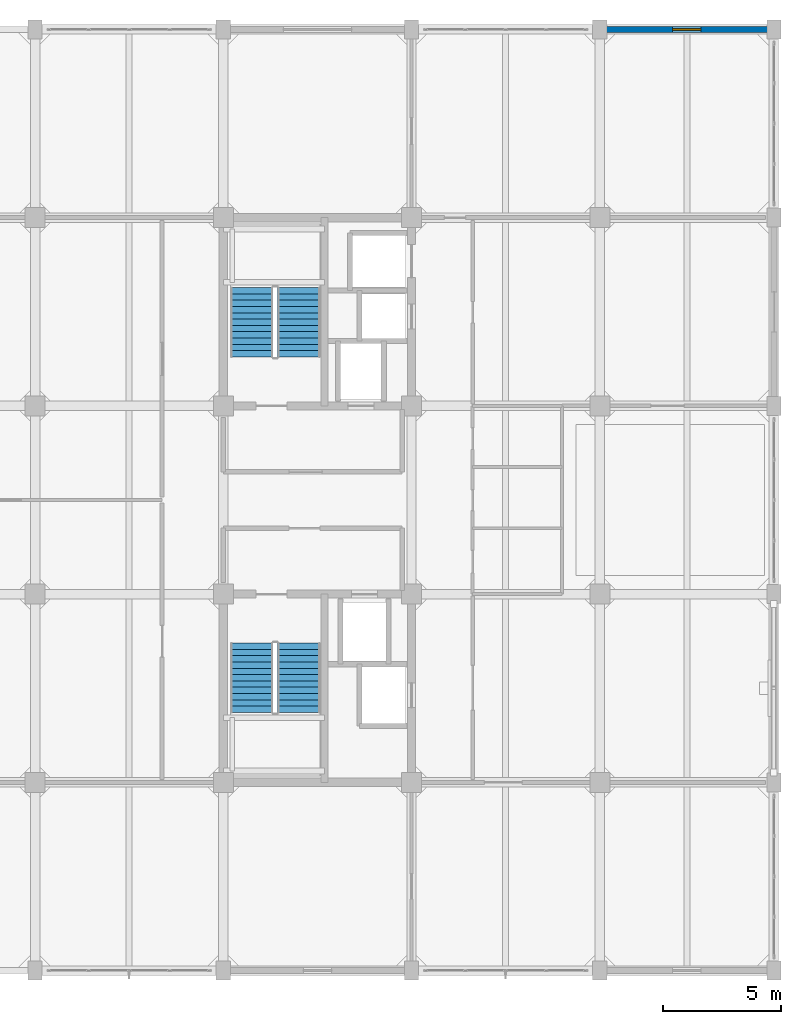
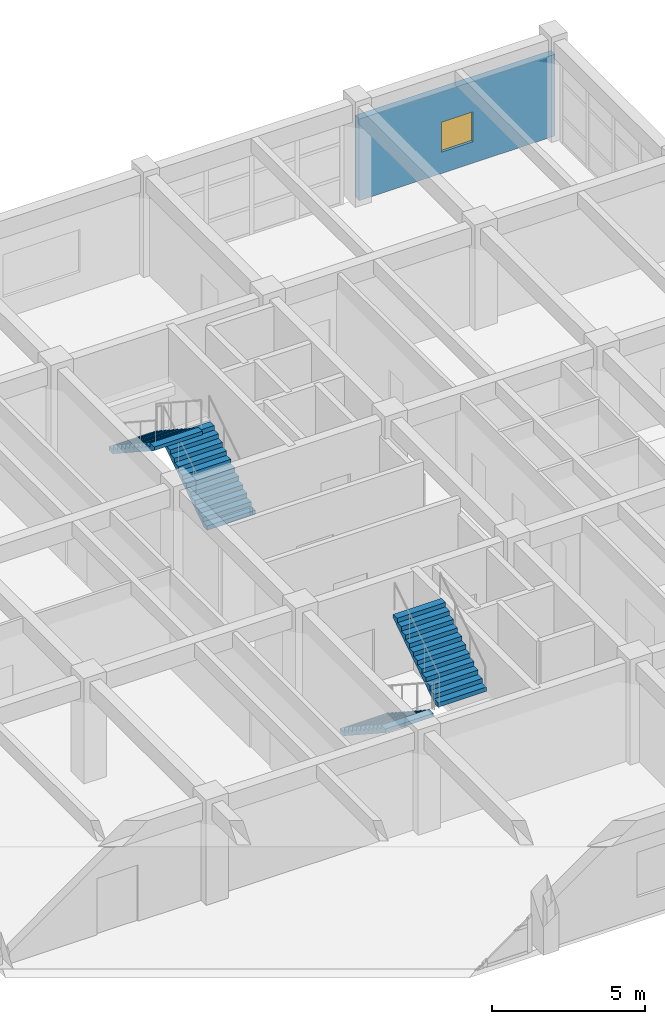
# One storey, part 23 of 27: 4 stair flights, 1 wall, 1 window, 1 opening, 2 elements without a shape of their own.
"""IFC4 building model written with IfcOpenShell, lengths in metres."""

from ifc_helpers import new_model, si_unit, direction, frame, frame_2d, origin, place, context, subcontext, project, spatial, polyline, rectangle, outline, extrude, material, layer, layer_set, type_object, element, fill, aggregate, save


model = new_model("IFC4")

# Units and contexts
model_context = context("Model", 3, precision=1e-05, world=origin(), true_north=direction((0.0, 1.0)))
body_context = subcontext(model_context, "Body", "Model", "MODEL_VIEW")
ifc_project = project(units=[si_unit("LENGTHUNIT", "METRE"), si_unit("AREAUNIT", "SQUARE_METRE"), si_unit("VOLUMEUNIT", "CUBIC_METRE"), si_unit("PLANEANGLEUNIT", "RADIAN"), si_unit("MASSUNIT", "GRAM", prefix="KILO")], contexts=[model_context])

# Site, building, storey
site_placement = place(None, origin())
site = spatial("IfcSite", under=ifc_project, at=site_placement, CompositionType="ELEMENT")
building_placement = place(site_placement, origin())
building = spatial("IfcBuilding", under=site, at=building_placement, Name="Canggui Botanical Conservatory", CompositionType="ELEMENT")
storey_placement = place(building_placement, frame((0.0, 0.0, 31.800048828125)))
storey = spatial("IfcBuildingStorey", under=building, at=storey_placement, Name="L08", CompositionType="ELEMENT", Elevation=31.800048828125)

# Wall, opening, window
ifc_material_1 = material(Name="Precast Concrete C40", Category="concrete")
ifc_layer = layer(ifc_material_1, 0.260009765625, Name="Precast Concrete C40", Category="concrete")
ifc_layer_set = layer_set([ifc_layer], Name="Precast Concrete C40")
wall_type = type_object("IfcWallType", Name="EW-260", PredefinedType="STANDARD", material=ifc_layer_set)
wall_placement = place(storey_placement, frame((170.0, 74.0, 0.0), z_axis=(0.0, 0.0, 1.0), x_axis=(1.0, 0.0, 0.0)))
wall = element("IfcWall", 1, at=wall_placement, inside=storey, type_object=wall_type, Name="Tower Insulated Exterior Wall L08-N15", PredefinedType="STANDARD", context=body_context, shape_type="SweptSolid", body=[
    extrude(rectangle(XDim=7.39990234375, YDim=0.260009765625, at=frame_2d((3.699951171875, 0.0))), origin(), (0.0, 0.0, 1.0), 3.260009765625),
])
opening_placement = place(wall_placement, frame((3.10009765625, 0.0, 0.85009765625)))
opening = element("IfcOpeningElement", 2, at=opening_placement, cuts=wall, Name="Opening W-06", PredefinedType="OPENING", context=body_context, shape_type="SweptSolid", body=[
    extrude(rectangle(XDim=1.199951171875, YDim=1.199951171875, at=frame_2d((0.60009765625, 0.60009765625))), frame((0.0, 0.14013671875, 0.0), z_axis=(0.0, -1.0, 0.0), x_axis=(1.0, 0.0, 0.0)), (0.0, 0.0, 1.0), 0.280029296875),
])
ifc_material_2 = material(Name="Low-E Insulated Glass", Category="glass")
window_type = type_object("IfcWindowType", Name="WIN-06", PartitioningType="SINGLE_PANEL", PredefinedType="WINDOW", material=ifc_material_2)
window_placement = place(opening_placement, origin())
window = element("IfcWindow", 3, at=window_placement, inside=storey, type_object=window_type, Name="Tower Firefighter Rescue Window L08-15", OverallHeight=1.199951171875, OverallWidth=1.199951171875, PartitioningType="SINGLE_PANEL", PredefinedType="WINDOW", context=body_context, shape_type="SweptSolid", body=[
    extrude(rectangle(XDim=1.199951171875, YDim=1.199951171875, at=frame_2d((0.60009765625, 0.60009765625))), frame((0.0, 0.030029296875, 0.0), z_axis=(0.0, -1.0, 0.0), x_axis=(1.0, 0.0, 0.0)), (0.0, 0.0, 1.0), 0.06005859375),
])
fill(opening, window)

# Stair, stair flights
ifc_material_3 = material(Name="Concrete C35", Category="concrete")
stair_type = type_object("IfcStairType", Name="STR-TYPE-6", PredefinedType="HALF_TURN_STAIR", material=ifc_material_3)
stair_1_placement = place(storey_placement, origin())
stair_1 = element("IfcStair", 4, at=stair_1_placement, inside=storey, type_object=stair_type, Name="L08 Tower South Smoke-Proof Stair ST-T1", PredefinedType="HALF_TURN_STAIR")
stair_flight_type = type_object("IfcStairFlightType", Name="SFL-TYPE-6", PredefinedType="STRAIGHT", material=ifc_material_3)
stair_flight_1_placement = place(storey_placement, frame((155.2099609375, 47.919921875, 0.0), z_axis=(0.0, 0.0, 1.0), x_axis=(0.0, -1.0, 0.0)))
stair_flight_1 = element("IfcStairFlight", 5, at=stair_flight_1_placement, type_object=stair_flight_type, Name="ST-T1 flight 1", NumberOfRisers=12, NumberOfTreads=11, PredefinedType="STRAIGHT", RiserHeight=0.175, TreadLength=0.268, context=body_context, shape_type="SweptSolid", body=[
    extrude(outline(polyline([(0.0, 0.0), (0.0, 0.175048828125), (0.26806640625, 0.175048828125), (0.26806640625, 0.35009765625), (0.535888671875, 0.35009765625), (0.535888671875, 0.52490234375), (0.803955078125, 0.52490234375), (0.803955078125, 0.699951171875), (1.072021484375, 0.699951171875), (1.072021484375, 0.875), (1.340087890625, 0.875), (1.340087890625, 1.050048828125), (1.60791015625, 1.050048828125), (1.60791015625, 1.22509765625), (1.8759765625, 1.22509765625), (1.8759765625, 1.39990234375), (2.14404296875, 1.39990234375), (2.14404296875, 1.574951171875), (2.412109375, 1.574951171875), (2.412109375, 1.75), (2.679931640625, 1.75), (2.679931640625, 1.925048828125), (2.947998046875, 1.925048828125), (2.947998046875, 2.10009765625), (2.947998046875, 1.781494140625), (0.2197265625, 0.0), (0.0, 0.0)])), frame((0.0, 0.91015625, 0.0), z_axis=(0.0, -1.0, 0.0), x_axis=(1.0, 0.0, 0.0)), (0.0, 0.0, 1.0), 1.820068359375),
])
stair_flight_2_placement = place(storey_placement, frame((157.2099609375, 44.971923828125, 2.099853515625), z_axis=(0.0, 0.0, 1.0), x_axis=(0.0, 1.0, 0.0)))
stair_flight_2 = element("IfcStairFlight", 6, at=stair_flight_2_placement, type_object=stair_flight_type, Name="ST-T1 flight 2", NumberOfRisers=12, NumberOfTreads=11, PredefinedType="STRAIGHT", RiserHeight=0.175, TreadLength=0.268, context=body_context, shape_type="SweptSolid", body=[
    extrude(outline(polyline([(0.0, 0.0), (0.0, 0.175048828125), (0.26806640625, 0.175048828125), (0.26806640625, 0.35009765625), (0.535888671875, 0.35009765625), (0.535888671875, 0.52490234375), (0.803955078125, 0.52490234375), (0.803955078125, 0.699951171875), (1.072021484375, 0.699951171875), (1.072021484375, 0.875), (1.340087890625, 0.875), (1.340087890625, 1.050048828125), (1.60791015625, 1.050048828125), (1.60791015625, 1.22509765625), (1.8759765625, 1.22509765625), (1.8759765625, 1.39990234375), (2.14404296875, 1.39990234375), (2.14404296875, 1.574951171875), (2.412109375, 1.574951171875), (2.412109375, 1.75), (2.679931640625, 1.75), (2.679931640625, 1.925048828125), (2.947998046875, 1.925048828125), (2.947998046875, 2.10009765625), (2.947998046875, 1.781494140625), (0.2197265625, 0.0), (0.0, 0.0)])), frame((0.0, 0.91015625, 0.0), z_axis=(0.0, -1.0, 0.0), x_axis=(1.0, 0.0, 0.0)), (0.0, 0.0, 1.0), 1.820068359375),
])
aggregate(stair_1, [stair_flight_1, stair_flight_2])

stair_2_placement = place(storey_placement, origin())
stair_2 = element("IfcStair", 7, at=stair_2_placement, inside=storey, type_object=stair_type, Name="L08 Tower North Smoke-Proof Stair ST-T2", PredefinedType="HALF_TURN_STAIR")
stair_flight_3_placement = place(storey_placement, frame((157.2099609375, 60.080078125, 0.0), z_axis=(0.0, 0.0, 1.0), x_axis=(0.0, 1.0, 0.0)))
stair_flight_3 = element("IfcStairFlight", 8, at=stair_flight_3_placement, type_object=stair_flight_type, Name="ST-T2 flight 1", NumberOfRisers=12, NumberOfTreads=11, PredefinedType="STRAIGHT", RiserHeight=0.175, TreadLength=0.268, context=body_context, shape_type="SweptSolid", body=[
    extrude(outline(polyline([(0.0, 0.0), (0.0, 0.175048828125), (0.26806640625, 0.175048828125), (0.26806640625, 0.35009765625), (0.535888671875, 0.35009765625), (0.535888671875, 0.52490234375), (0.803955078125, 0.52490234375), (0.803955078125, 0.699951171875), (1.072021484375, 0.699951171875), (1.072021484375, 0.875), (1.340087890625, 0.875), (1.340087890625, 1.050048828125), (1.60791015625, 1.050048828125), (1.60791015625, 1.22509765625), (1.8759765625, 1.22509765625), (1.8759765625, 1.39990234375), (2.14404296875, 1.39990234375), (2.14404296875, 1.574951171875), (2.412109375, 1.574951171875), (2.412109375, 1.75), (2.679931640625, 1.75), (2.679931640625, 1.925048828125), (2.947998046875, 1.925048828125), (2.947998046875, 2.10009765625), (2.947998046875, 1.781494140625), (0.2197265625, 0.0), (0.0, 0.0)])), frame((0.0, 0.91015625, 0.0), z_axis=(0.0, -1.0, 0.0), x_axis=(1.0, 0.0, 0.0)), (0.0, 0.0, 1.0), 1.820068359375),
])
stair_flight_4_placement = place(storey_placement, frame((155.2099609375, 63.028076171875, 2.099853515625), z_axis=(0.0, 0.0, 1.0), x_axis=(0.0, -1.0, 0.0)))
stair_flight_4 = element("IfcStairFlight", 9, at=stair_flight_4_placement, type_object=stair_flight_type, Name="ST-T2 flight 2", NumberOfRisers=12, NumberOfTreads=11, PredefinedType="STRAIGHT", RiserHeight=0.175, TreadLength=0.268, context=body_context, shape_type="SweptSolid", body=[
    extrude(outline(polyline([(0.0, 0.0), (0.0, 0.175048828125), (0.26806640625, 0.175048828125), (0.26806640625, 0.35009765625), (0.535888671875, 0.35009765625), (0.535888671875, 0.52490234375), (0.803955078125, 0.52490234375), (0.803955078125, 0.699951171875), (1.072021484375, 0.699951171875), (1.072021484375, 0.875), (1.340087890625, 0.875), (1.340087890625, 1.050048828125), (1.60791015625, 1.050048828125), (1.60791015625, 1.22509765625), (1.8759765625, 1.22509765625), (1.8759765625, 1.39990234375), (2.14404296875, 1.39990234375), (2.14404296875, 1.574951171875), (2.412109375, 1.574951171875), (2.412109375, 1.75), (2.679931640625, 1.75), (2.679931640625, 1.925048828125), (2.947998046875, 1.925048828125), (2.947998046875, 2.10009765625), (2.947998046875, 1.781494140625), (0.2197265625, 0.0), (0.0, 0.0)])), frame((0.0, 0.91015625, 0.0), z_axis=(0.0, -1.0, 0.0), x_axis=(1.0, 0.0, 0.0)), (0.0, 0.0, 1.0), 1.820068359375),
])
aggregate(stair_2, [stair_flight_3, stair_flight_4])

save(model, "model.ifc")
